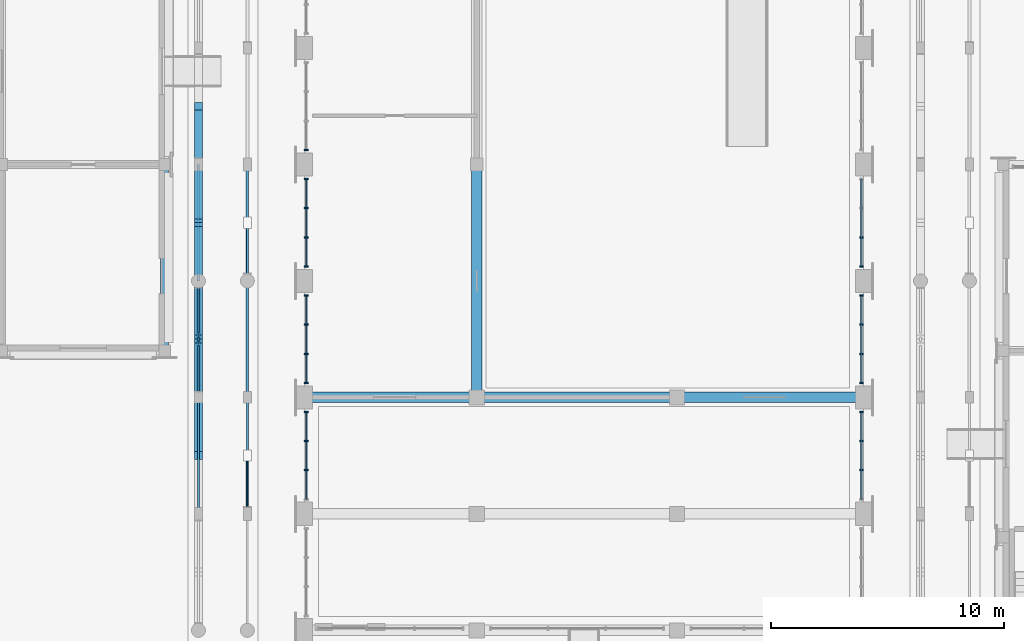
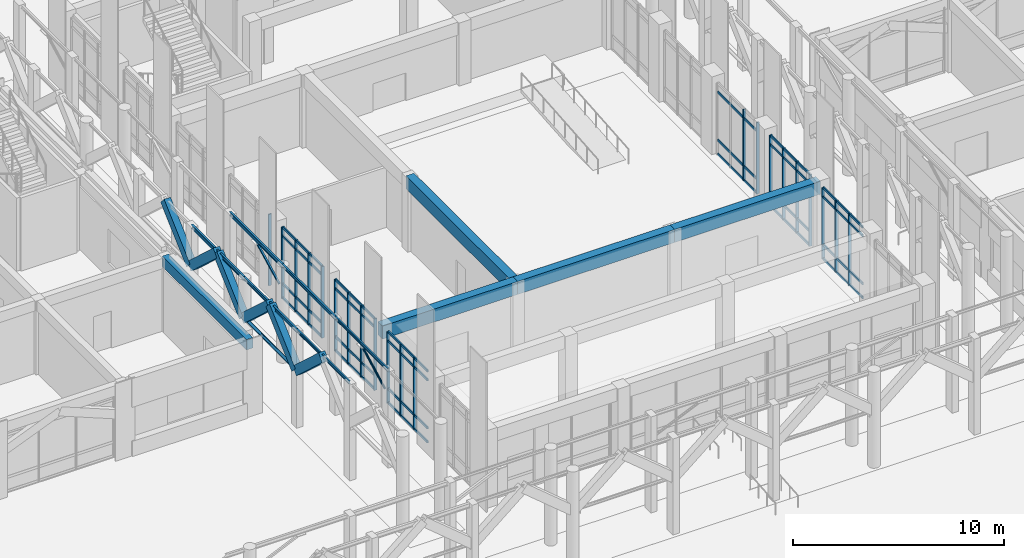
# One storey, part 28 of 135: 47 members, 17 beams, 7 elements without a shape of their own.
"""IFC4 building model written with IfcOpenShell, lengths in metres."""

from ifc_helpers import new_model, si_unit, direction, frame, origin, origin_2d, place, context, subcontext, project, spatial, rectangle, hollow_rectangle, hollow_circle, i_section, extrude, material, material_profile, profile_set, type_object, element, aggregate, save


model = new_model("IFC4")

# Units and contexts
model_context = context("Model", 3, precision=1e-05, world=origin(), true_north=direction((0.0, 1.0)))
body_context = subcontext(model_context, "Body", "Model", "MODEL_VIEW")
ifc_project = project(units=[si_unit("LENGTHUNIT", "METRE"), si_unit("AREAUNIT", "SQUARE_METRE"), si_unit("VOLUMEUNIT", "CUBIC_METRE"), si_unit("PLANEANGLEUNIT", "RADIAN"), si_unit("MASSUNIT", "GRAM", prefix="KILO")], contexts=[model_context])

# Site, building, storey
site_placement = place(None, origin())
site = spatial("IfcSite", under=ifc_project, at=site_placement, CompositionType="ELEMENT")
building_placement = place(site_placement, origin())
building = spatial("IfcBuilding", under=site, at=building_placement, Name="Kiranvali Square Residences", CompositionType="ELEMENT")
storey_placement = place(building_placement, origin())
storey = spatial("IfcBuildingStorey", under=building, at=storey_placement, Name="L00", CompositionType="ELEMENT", Elevation=0.0)

# Beams
ifc_material_1 = material(Name="Concrete M40 (40 MPa)", Category="concrete")
ifc_material_profile_1 = material_profile(ifc_material_1, rectangle(XDim=0.35009765625, YDim=0.5, at=origin_2d()), Name="RC 350x500")
ifc_profile_set_1 = profile_set([ifc_material_profile_1], Name="Concrete M40 (40 MPa)")
beam_type_1 = type_object("IfcBeamType", Name="AR-M40-350x500", PredefinedType="USERDEFINED", material=ifc_profile_set_1)
for number, where, z_axis, x_axis, name in (
    (1, (67.449951171875, 51.5, 5.4599609375), (0.0, 0.736401324674, -0.676544964521), (-1.0, 0.0, 0.0), "Classical pointed Ottoman arch rib ARCH-ARC-GDN-W-02.2"),
    (2, (67.449951171875, 54.0400390625, 3.199951171875), (0.0, 0.736401324674, 0.676544964521), (-1.0, 0.0, 0.0), "Classical pointed Ottoman arch rib ARCH-ARC-GDN-W-03.1"),
    (3, (67.449951171875, 56.5, 5.4599609375), (0.0, 0.736401324674, -0.676544964521), (-1.0, 0.0, 0.0), "Classical pointed Ottoman arch rib ARCH-ARC-GDN-W-03.2"),
    (4, (67.449951171875, 59.0400390625, 3.199951171875), (0.0, 0.736401324674, 0.676544964521), (-1.0, 0.0, 0.0), "Classical pointed Ottoman arch rib ARCH-ARC-GDN-W-04.1"),
    (5, (67.449951171875, 61.5, 5.4599609375), (0.0, 0.736401324674, -0.676544964521), (-1.0, 0.0, 0.0), "Classical pointed Ottoman arch rib ARCH-ARC-GDN-W-04.2"),
    (6, (67.449951171875, 64.0400390625, 3.199951171875), (0.0, 0.736401324674, 0.676544964521), (-1.0, 0.0, 0.0), "Classical pointed Ottoman arch rib ARCH-ARC-GDN-W-05.1"),
):
    element("IfcBeam", number, at=place(storey_placement, frame(where, z_axis=z_axis, x_axis=x_axis)), inside=storey, type_object=beam_type_1, Name=name, ObjectType="ARCH RIB", PredefinedType="USERDEFINED", context=body_context, shape_type="SweptSolid", body=[
        extrude(rectangle(XDim=0.35009765625, YDim=0.5, at=origin_2d()), origin(), (0.0, 0.0, 1.0), 3.340576171875),
    ])
ifc_material_profile_2 = material_profile(ifc_material_1, rectangle(XDim=0.35009765625, YDim=0.60009765625, at=origin_2d()), Name="RC 350x600")
ifc_profile_set_2 = profile_set([ifc_material_profile_2], Name="Concrete M40 (40 MPa)")
beam_type_2 = type_object("IfcBeamType", Name="BM-M40-350x600", PredefinedType="BEAM", material=ifc_profile_set_2)
beam_1_placement = place(storey_placement, frame((66.0, 56.0, 3.97998046875), z_axis=(0.0, 1.0, 0.0), x_axis=(-1.0, 0.0, 0.0)))
element("IfcBeam", 7, at=beam_1_placement, inside=storey, type_object=beam_type_2, Name="L00 beam BM-NR-L00-Y4-0", PredefinedType="BEAM", context=body_context, shape_type="SweptSolid", body=[
    extrude(rectangle(XDim=0.35009765625, YDim=0.60009765625, at=origin_2d()), origin(), (0.0, 0.0, 1.0), 8.0),
])
ifc_material_2 = material(Name="Concrete M45 (45 MPa)", Category="concrete")
ifc_material_profile_3 = material_profile(ifc_material_2, rectangle(XDim=0.449951171875, YDim=0.75, at=origin_2d()), Name="RC 450x750")
ifc_profile_set_3 = profile_set([ifc_material_profile_3], Name="Concrete M45 (45 MPa)")
beam_type_3 = type_object("IfcBeamType", Name="BM-M45-450x750", PredefinedType="BEAM", material=ifc_profile_set_3)
beam_2_placement = place(storey_placement, frame((72.0, 54.0, 3.875), z_axis=(1.0, 0.0, 0.0), x_axis=(0.0, 1.0, 0.0)))
element("IfcBeam", 8, at=beam_2_placement, inside=storey, type_object=beam_type_3, Name="L00 beam BM-CH-GAL-540-1", PredefinedType="BEAM", context=body_context, shape_type="SweptSolid", body=[
    extrude(rectangle(XDim=0.449951171875, YDim=0.75, at=origin_2d()), origin(), (0.0, 0.0, 1.0), 7.39990234375),
])
beam_3_placement = place(storey_placement, frame((79.39990234375, 54.0, 3.875), z_axis=(1.0, 0.0, 0.0), x_axis=(0.0, 1.0, 0.0)))
element("IfcBeam", 9, at=beam_3_placement, inside=storey, type_object=beam_type_3, Name="L00 beam BM-CH-GAL-540-2", PredefinedType="BEAM", context=body_context, shape_type="SweptSolid", body=[
    extrude(rectangle(XDim=0.449951171875, YDim=0.75, at=origin_2d()), origin(), (0.0, 0.0, 1.0), 8.60009765625),
])
beam_4_placement = place(storey_placement, frame((88.0, 54.0, 3.875), z_axis=(1.0, 0.0, 0.0), x_axis=(0.0, 1.0, 0.0)))
element("IfcBeam", 10, at=beam_4_placement, inside=storey, type_object=beam_type_3, Name="L00 beam BM-CH-GAL-540-3", PredefinedType="BEAM", context=body_context, shape_type="SweptSolid", body=[
    extrude(rectangle(XDim=0.449951171875, YDim=0.75, at=origin_2d()), origin(), (0.0, 0.0, 1.0), 8.0),
])
beam_5_placement = place(storey_placement, frame((79.39990234375, 54.0, 3.875), z_axis=(0.0, 1.0, 0.0), x_axis=(-1.0, 0.0, 0.0)))
element("IfcBeam", 11, at=beam_5_placement, inside=storey, type_object=beam_type_3, Name="L00 beam BM-CH-WLK-1", PredefinedType="BEAM", context=body_context, shape_type="SweptSolid", body=[
    extrude(rectangle(XDim=0.449951171875, YDim=0.75, at=origin_2d()), origin(), (0.0, 0.0, 1.0), 10.0),
])

# Curtain wall, members
ifc_material_3 = material(Name="Anodised bronze aluminium framing", Category="aluminium")
curtain_wall_type = type_object("IfcCurtainWallType", Name="CW-CH-GLZ", PredefinedType="USERDEFINED", material=ifc_material_3)
curtain_wall_1_placement = place(storey_placement, origin())
curtain_wall_1 = element("IfcCurtainWall", 12, at=curtain_wall_1_placement, inside=storey, type_object=curtain_wall_type, Name="Community Hall L00 W glazed arcade bay 2", ObjectType="CURTAIN WALL", PredefinedType="USERDEFINED")
ifc_material_profile_4 = material_profile(ifc_material_3, rectangle(XDim=0.06494140625, YDim=0.159912109375, at=origin_2d()), Name="ALU 65x160")
ifc_profile_set_4 = profile_set([ifc_material_profile_4], Name="Anodised bronze aluminium framing")
member_type_1 = type_object("IfcMemberType", Name="CW-MUL-160", PredefinedType="MULLION", material=ifc_profile_set_4)
member_1_placement = place(storey_placement, frame((72.080078125, 50.873291015625, 0.02001953125), z_axis=(0.0, 0.0, 1.0), x_axis=(0.0, 1.0, 0.0)))
member_1 = element("IfcMember", 13, at=member_1_placement, type_object=member_type_1, Name="CW-CH-L00-W2 vertical mullion 2", PredefinedType="MULLION", context=body_context, shape_type="SweptSolid", body=[
    extrude(rectangle(XDim=0.06494140625, YDim=0.159912109375, at=origin_2d()), origin(), (0.0, 0.0, 1.0), 4.139892578125),
])
member_2_placement = place(storey_placement, frame((72.080078125, 52.126708984375, 0.02001953125), z_axis=(0.0, 0.0, 1.0), x_axis=(0.0, 1.0, 0.0)))
member_2 = element("IfcMember", 14, at=member_2_placement, type_object=member_type_1, Name="CW-CH-L00-W2 vertical mullion 3", PredefinedType="MULLION", context=body_context, shape_type="SweptSolid", body=[
    extrude(rectangle(XDim=0.06494140625, YDim=0.159912109375, at=origin_2d()), origin(), (0.0, 0.0, 1.0), 4.139892578125),
])
member_3_placement = place(storey_placement, frame((72.080078125, 53.3798828125, 0.02001953125), z_axis=(0.0, 0.0, 1.0), x_axis=(0.0, 1.0, 0.0)))
member_3 = element("IfcMember", 15, at=member_3_placement, type_object=member_type_1, Name="CW-CH-L00-W2 vertical mullion 4", PredefinedType="MULLION", context=body_context, shape_type="SweptSolid", body=[
    extrude(rectangle(XDim=0.06494140625, YDim=0.159912109375, at=origin_2d()), origin(), (0.0, 0.0, 1.0), 4.139892578125),
])

curtain_wall_2_placement = place(storey_placement, origin())
curtain_wall_2 = element("IfcCurtainWall", 16, at=curtain_wall_2_placement, inside=storey, type_object=curtain_wall_type, Name="Community Hall L00 E glazed arcade bay 2", ObjectType="CURTAIN WALL", PredefinedType="USERDEFINED")
member_4_placement = place(storey_placement, frame((95.919921875, 50.873291015625, 0.02001953125), z_axis=(0.0, 0.0, 1.0), x_axis=(0.0, 1.0, 0.0)))
member_4 = element("IfcMember", 17, at=member_4_placement, type_object=member_type_1, Name="CW-CH-L00-E2 vertical mullion 2", PredefinedType="MULLION", context=body_context, shape_type="SweptSolid", body=[
    extrude(rectangle(XDim=0.06494140625, YDim=0.159912109375, at=origin_2d()), origin(), (0.0, 0.0, 1.0), 4.139892578125),
])
member_5_placement = place(storey_placement, frame((95.919921875, 52.126708984375, 0.02001953125), z_axis=(0.0, 0.0, 1.0), x_axis=(0.0, 1.0, 0.0)))
member_5 = element("IfcMember", 18, at=member_5_placement, type_object=member_type_1, Name="CW-CH-L00-E2 vertical mullion 3", PredefinedType="MULLION", context=body_context, shape_type="SweptSolid", body=[
    extrude(rectangle(XDim=0.06494140625, YDim=0.159912109375, at=origin_2d()), origin(), (0.0, 0.0, 1.0), 4.139892578125),
])
member_6_placement = place(storey_placement, frame((95.919921875, 53.3798828125, 0.02001953125), z_axis=(0.0, 0.0, 1.0), x_axis=(0.0, 1.0, 0.0)))
member_6 = element("IfcMember", 19, at=member_6_placement, type_object=member_type_1, Name="CW-CH-L00-E2 vertical mullion 4", PredefinedType="MULLION", context=body_context, shape_type="SweptSolid", body=[
    extrude(rectangle(XDim=0.06494140625, YDim=0.159912109375, at=origin_2d()), origin(), (0.0, 0.0, 1.0), 4.139892578125),
])

curtain_wall_3_placement = place(storey_placement, origin())
curtain_wall_3 = element("IfcCurtainWall", 20, at=curtain_wall_3_placement, inside=storey, type_object=curtain_wall_type, Name="Community Hall L00 W glazed arcade bay 3", ObjectType="CURTAIN WALL", PredefinedType="USERDEFINED")
member_7_placement = place(storey_placement, frame((72.080078125, 54.6201171875, 0.02001953125), z_axis=(0.0, 0.0, 1.0), x_axis=(0.0, 1.0, 0.0)))
member_7 = element("IfcMember", 21, at=member_7_placement, type_object=member_type_1, Name="CW-CH-L00-W3 vertical mullion 1", PredefinedType="MULLION", context=body_context, shape_type="SweptSolid", body=[
    extrude(rectangle(XDim=0.06494140625, YDim=0.159912109375, at=origin_2d()), origin(), (0.0, 0.0, 1.0), 4.139892578125),
])
member_8_placement = place(storey_placement, frame((72.080078125, 55.873291015625, 0.02001953125), z_axis=(0.0, 0.0, 1.0), x_axis=(0.0, 1.0, 0.0)))
member_8 = element("IfcMember", 22, at=member_8_placement, type_object=member_type_1, Name="CW-CH-L00-W3 vertical mullion 2", PredefinedType="MULLION", context=body_context, shape_type="SweptSolid", body=[
    extrude(rectangle(XDim=0.06494140625, YDim=0.159912109375, at=origin_2d()), origin(), (0.0, 0.0, 1.0), 4.139892578125),
])
member_9_placement = place(storey_placement, frame((72.080078125, 57.126708984375, 0.02001953125), z_axis=(0.0, 0.0, 1.0), x_axis=(0.0, 1.0, 0.0)))
member_9 = element("IfcMember", 23, at=member_9_placement, type_object=member_type_1, Name="CW-CH-L00-W3 vertical mullion 3", PredefinedType="MULLION", context=body_context, shape_type="SweptSolid", body=[
    extrude(rectangle(XDim=0.06494140625, YDim=0.159912109375, at=origin_2d()), origin(), (0.0, 0.0, 1.0), 4.139892578125),
])
member_10_placement = place(storey_placement, frame((72.080078125, 58.3798828125, 0.02001953125), z_axis=(0.0, 0.0, 1.0), x_axis=(0.0, 1.0, 0.0)))
member_10 = element("IfcMember", 24, at=member_10_placement, type_object=member_type_1, Name="CW-CH-L00-W3 vertical mullion 4", PredefinedType="MULLION", context=body_context, shape_type="SweptSolid", body=[
    extrude(rectangle(XDim=0.06494140625, YDim=0.159912109375, at=origin_2d()), origin(), (0.0, 0.0, 1.0), 4.139892578125),
])

curtain_wall_4_placement = place(storey_placement, origin())
curtain_wall_4 = element("IfcCurtainWall", 25, at=curtain_wall_4_placement, inside=storey, type_object=curtain_wall_type, Name="Community Hall L00 E glazed arcade bay 3", ObjectType="CURTAIN WALL", PredefinedType="USERDEFINED")
member_11_placement = place(storey_placement, frame((95.919921875, 54.6201171875, 0.02001953125), z_axis=(0.0, 0.0, 1.0), x_axis=(0.0, 1.0, 0.0)))
member_11 = element("IfcMember", 26, at=member_11_placement, type_object=member_type_1, Name="CW-CH-L00-E3 vertical mullion 1", PredefinedType="MULLION", context=body_context, shape_type="SweptSolid", body=[
    extrude(rectangle(XDim=0.06494140625, YDim=0.159912109375, at=origin_2d()), origin(), (0.0, 0.0, 1.0), 4.139892578125),
])
member_12_placement = place(storey_placement, frame((95.919921875, 55.873291015625, 0.02001953125), z_axis=(0.0, 0.0, 1.0), x_axis=(0.0, 1.0, 0.0)))
member_12 = element("IfcMember", 27, at=member_12_placement, type_object=member_type_1, Name="CW-CH-L00-E3 vertical mullion 2", PredefinedType="MULLION", context=body_context, shape_type="SweptSolid", body=[
    extrude(rectangle(XDim=0.06494140625, YDim=0.159912109375, at=origin_2d()), origin(), (0.0, 0.0, 1.0), 4.139892578125),
])
member_13_placement = place(storey_placement, frame((95.919921875, 57.126708984375, 0.02001953125), z_axis=(0.0, 0.0, 1.0), x_axis=(0.0, 1.0, 0.0)))
member_13 = element("IfcMember", 28, at=member_13_placement, type_object=member_type_1, Name="CW-CH-L00-E3 vertical mullion 3", PredefinedType="MULLION", context=body_context, shape_type="SweptSolid", body=[
    extrude(rectangle(XDim=0.06494140625, YDim=0.159912109375, at=origin_2d()), origin(), (0.0, 0.0, 1.0), 4.139892578125),
])
member_14_placement = place(storey_placement, frame((95.919921875, 58.3798828125, 0.02001953125), z_axis=(0.0, 0.0, 1.0), x_axis=(0.0, 1.0, 0.0)))
member_14 = element("IfcMember", 29, at=member_14_placement, type_object=member_type_1, Name="CW-CH-L00-E3 vertical mullion 4", PredefinedType="MULLION", context=body_context, shape_type="SweptSolid", body=[
    extrude(rectangle(XDim=0.06494140625, YDim=0.159912109375, at=origin_2d()), origin(), (0.0, 0.0, 1.0), 4.139892578125),
])

curtain_wall_5_placement = place(storey_placement, origin())
curtain_wall_5 = element("IfcCurtainWall", 30, at=curtain_wall_5_placement, inside=storey, type_object=curtain_wall_type, Name="Community Hall L00 W glazed arcade bay 4", ObjectType="CURTAIN WALL", PredefinedType="USERDEFINED")
member_15_placement = place(storey_placement, frame((72.080078125, 59.6201171875, 0.02001953125), z_axis=(0.0, 0.0, 1.0), x_axis=(0.0, 1.0, 0.0)))
member_15 = element("IfcMember", 31, at=member_15_placement, type_object=member_type_1, Name="CW-CH-L00-W4 vertical mullion 1", PredefinedType="MULLION", context=body_context, shape_type="SweptSolid", body=[
    extrude(rectangle(XDim=0.06494140625, YDim=0.159912109375, at=origin_2d()), origin(), (0.0, 0.0, 1.0), 4.139892578125),
])
member_16_placement = place(storey_placement, frame((72.080078125, 60.873291015625, 0.02001953125), z_axis=(0.0, 0.0, 1.0), x_axis=(0.0, 1.0, 0.0)))
member_16 = element("IfcMember", 32, at=member_16_placement, type_object=member_type_1, Name="CW-CH-L00-W4 vertical mullion 2", PredefinedType="MULLION", context=body_context, shape_type="SweptSolid", body=[
    extrude(rectangle(XDim=0.06494140625, YDim=0.159912109375, at=origin_2d()), origin(), (0.0, 0.0, 1.0), 4.139892578125),
])
member_17_placement = place(storey_placement, frame((72.080078125, 62.126708984375, 0.02001953125), z_axis=(0.0, 0.0, 1.0), x_axis=(0.0, 1.0, 0.0)))
member_17 = element("IfcMember", 33, at=member_17_placement, type_object=member_type_1, Name="CW-CH-L00-W4 vertical mullion 3", PredefinedType="MULLION", context=body_context, shape_type="SweptSolid", body=[
    extrude(rectangle(XDim=0.06494140625, YDim=0.159912109375, at=origin_2d()), origin(), (0.0, 0.0, 1.0), 4.139892578125),
])
member_18_placement = place(storey_placement, frame((72.080078125, 63.3798828125, 0.02001953125), z_axis=(0.0, 0.0, 1.0), x_axis=(0.0, 1.0, 0.0)))
member_18 = element("IfcMember", 34, at=member_18_placement, type_object=member_type_1, Name="CW-CH-L00-W4 vertical mullion 4", PredefinedType="MULLION", context=body_context, shape_type="SweptSolid", body=[
    extrude(rectangle(XDim=0.06494140625, YDim=0.159912109375, at=origin_2d()), origin(), (0.0, 0.0, 1.0), 4.139892578125),
])

curtain_wall_6_placement = place(storey_placement, origin())
curtain_wall_6 = element("IfcCurtainWall", 35, at=curtain_wall_6_placement, inside=storey, type_object=curtain_wall_type, Name="Community Hall L00 E glazed arcade bay 4", ObjectType="CURTAIN WALL", PredefinedType="USERDEFINED")
member_19_placement = place(storey_placement, frame((95.919921875, 59.6201171875, 0.02001953125), z_axis=(0.0, 0.0, 1.0), x_axis=(0.0, 1.0, 0.0)))
member_19 = element("IfcMember", 36, at=member_19_placement, type_object=member_type_1, Name="CW-CH-L00-E4 vertical mullion 1", PredefinedType="MULLION", context=body_context, shape_type="SweptSolid", body=[
    extrude(rectangle(XDim=0.06494140625, YDim=0.159912109375, at=origin_2d()), origin(), (0.0, 0.0, 1.0), 4.139892578125),
])
member_20_placement = place(storey_placement, frame((95.919921875, 60.873291015625, 0.02001953125), z_axis=(0.0, 0.0, 1.0), x_axis=(0.0, 1.0, 0.0)))
member_20 = element("IfcMember", 37, at=member_20_placement, type_object=member_type_1, Name="CW-CH-L00-E4 vertical mullion 2", PredefinedType="MULLION", context=body_context, shape_type="SweptSolid", body=[
    extrude(rectangle(XDim=0.06494140625, YDim=0.159912109375, at=origin_2d()), origin(), (0.0, 0.0, 1.0), 4.139892578125),
])

# Curtain wall, member
curtain_wall_7_placement = place(storey_placement, origin())
curtain_wall_7 = element("IfcCurtainWall", 38, at=curtain_wall_7_placement, inside=storey, type_object=curtain_wall_type, Name="Community Hall L00 W glazed arcade bay 5", ObjectType="CURTAIN WALL", PredefinedType="USERDEFINED")
member_21_placement = place(storey_placement, frame((72.080078125, 64.6201171875, 0.02001953125), z_axis=(0.0, 0.0, 1.0), x_axis=(0.0, 1.0, 0.0)))
member_21 = element("IfcMember", 39, at=member_21_placement, type_object=member_type_1, Name="CW-CH-L00-W5 vertical mullion 1", PredefinedType="MULLION", context=body_context, shape_type="SweptSolid", body=[
    extrude(rectangle(XDim=0.06494140625, YDim=0.159912109375, at=origin_2d()), origin(), (0.0, 0.0, 1.0), 4.139892578125),
])
aggregate(curtain_wall_7, [member_21])

# Member
ifc_material_profile_5 = material_profile(ifc_material_3, rectangle(XDim=0.06494140625, YDim=0.139892578125, at=origin_2d()), Name="ALU 65x140")
ifc_profile_set_5 = profile_set([ifc_material_profile_5], Name="Anodised bronze aluminium framing")
member_type_2 = type_object("IfcMemberType", Name="CW-TRN-140", PredefinedType="MULLION", material=ifc_profile_set_5)
member_22_placement = place(storey_placement, frame((72.080078125, 49.6298828125, 0.0400390625), z_axis=(0.0, 1.0, 0.0), x_axis=(-1.0, 0.0, 0.0)))
member_22 = element("IfcMember", 40, at=member_22_placement, type_object=member_type_2, Name="CW-CH-L00-W2 horizontal transom 1", PredefinedType="MULLION", context=body_context, shape_type="SweptSolid", body=[
    extrude(rectangle(XDim=0.06494140625, YDim=0.139892578125, at=origin_2d()), origin(), (0.0, 0.0, 1.0), 3.740234375),
])

member_23_placement = place(storey_placement, frame((72.080078125, 49.6298828125, 0.85009765625), z_axis=(0.0, 1.0, 0.0), x_axis=(-1.0, 0.0, 0.0)))
member_23 = element("IfcMember", 41, at=member_23_placement, type_object=member_type_2, Name="CW-CH-L00-W2 horizontal transom 2", PredefinedType="MULLION", context=body_context, shape_type="SweptSolid", body=[
    extrude(rectangle(XDim=0.06494140625, YDim=0.139892578125, at=origin_2d()), origin(), (0.0, 0.0, 1.0), 3.740234375),
])

member_24_placement = place(storey_placement, frame((72.080078125, 49.6298828125, 3.6298828125), z_axis=(0.0, 1.0, 0.0), x_axis=(-1.0, 0.0, 0.0)))
member_24 = element("IfcMember", 42, at=member_24_placement, type_object=member_type_2, Name="CW-CH-L00-W2 horizontal transom 3", PredefinedType="MULLION", context=body_context, shape_type="SweptSolid", body=[
    extrude(rectangle(XDim=0.06494140625, YDim=0.139892578125, at=origin_2d()), origin(), (0.0, 0.0, 1.0), 3.740234375),
])

member_25_placement = place(storey_placement, frame((72.080078125, 49.6298828125, 4.139892578125), z_axis=(0.0, 1.0, 0.0), x_axis=(-1.0, 0.0, 0.0)))
member_25 = element("IfcMember", 43, at=member_25_placement, type_object=member_type_2, Name="CW-CH-L00-W2 horizontal transom 4", PredefinedType="MULLION", context=body_context, shape_type="SweptSolid", body=[
    extrude(rectangle(XDim=0.06494140625, YDim=0.139892578125, at=origin_2d()), origin(), (0.0, 0.0, 1.0), 3.740234375),
])

aggregate(curtain_wall_1, [member_1, member_2, member_3, member_22, member_23, member_24, member_25])

member_26_placement = place(storey_placement, frame((95.919921875, 49.6298828125, 0.0400390625), z_axis=(0.0, 1.0, 0.0), x_axis=(-1.0, 0.0, 0.0)))
member_26 = element("IfcMember", 44, at=member_26_placement, type_object=member_type_2, Name="CW-CH-L00-E2 horizontal transom 1", PredefinedType="MULLION", context=body_context, shape_type="SweptSolid", body=[
    extrude(rectangle(XDim=0.06494140625, YDim=0.139892578125, at=origin_2d()), origin(), (0.0, 0.0, 1.0), 3.740234375),
])

member_27_placement = place(storey_placement, frame((95.919921875, 49.6298828125, 0.85009765625), z_axis=(0.0, 1.0, 0.0), x_axis=(-1.0, 0.0, 0.0)))
member_27 = element("IfcMember", 45, at=member_27_placement, type_object=member_type_2, Name="CW-CH-L00-E2 horizontal transom 2", PredefinedType="MULLION", context=body_context, shape_type="SweptSolid", body=[
    extrude(rectangle(XDim=0.06494140625, YDim=0.139892578125, at=origin_2d()), origin(), (0.0, 0.0, 1.0), 3.740234375),
])

member_28_placement = place(storey_placement, frame((95.919921875, 49.6298828125, 3.6298828125), z_axis=(0.0, 1.0, 0.0), x_axis=(-1.0, 0.0, 0.0)))
member_28 = element("IfcMember", 46, at=member_28_placement, type_object=member_type_2, Name="CW-CH-L00-E2 horizontal transom 3", PredefinedType="MULLION", context=body_context, shape_type="SweptSolid", body=[
    extrude(rectangle(XDim=0.06494140625, YDim=0.139892578125, at=origin_2d()), origin(), (0.0, 0.0, 1.0), 3.740234375),
])

member_29_placement = place(storey_placement, frame((95.919921875, 49.6298828125, 4.139892578125), z_axis=(0.0, 1.0, 0.0), x_axis=(-1.0, 0.0, 0.0)))
member_29 = element("IfcMember", 47, at=member_29_placement, type_object=member_type_2, Name="CW-CH-L00-E2 horizontal transom 4", PredefinedType="MULLION", context=body_context, shape_type="SweptSolid", body=[
    extrude(rectangle(XDim=0.06494140625, YDim=0.139892578125, at=origin_2d()), origin(), (0.0, 0.0, 1.0), 3.740234375),
])

aggregate(curtain_wall_2, [member_4, member_5, member_6, member_26, member_27, member_28, member_29])

member_30_placement = place(storey_placement, frame((72.080078125, 54.6298828125, 0.0400390625), z_axis=(0.0, 1.0, 0.0), x_axis=(-1.0, 0.0, 0.0)))
member_30 = element("IfcMember", 48, at=member_30_placement, type_object=member_type_2, Name="CW-CH-L00-W3 horizontal transom 1", PredefinedType="MULLION", context=body_context, shape_type="SweptSolid", body=[
    extrude(rectangle(XDim=0.06494140625, YDim=0.139892578125, at=origin_2d()), origin(), (0.0, 0.0, 1.0), 3.740234375),
])

member_31_placement = place(storey_placement, frame((72.080078125, 54.6298828125, 0.85009765625), z_axis=(0.0, 1.0, 0.0), x_axis=(-1.0, 0.0, 0.0)))
member_31 = element("IfcMember", 49, at=member_31_placement, type_object=member_type_2, Name="CW-CH-L00-W3 horizontal transom 2", PredefinedType="MULLION", context=body_context, shape_type="SweptSolid", body=[
    extrude(rectangle(XDim=0.06494140625, YDim=0.139892578125, at=origin_2d()), origin(), (0.0, 0.0, 1.0), 3.740234375),
])

member_32_placement = place(storey_placement, frame((72.080078125, 54.6298828125, 3.6298828125), z_axis=(0.0, 1.0, 0.0), x_axis=(-1.0, 0.0, 0.0)))
member_32 = element("IfcMember", 50, at=member_32_placement, type_object=member_type_2, Name="CW-CH-L00-W3 horizontal transom 3", PredefinedType="MULLION", context=body_context, shape_type="SweptSolid", body=[
    extrude(rectangle(XDim=0.06494140625, YDim=0.139892578125, at=origin_2d()), origin(), (0.0, 0.0, 1.0), 3.740234375),
])

member_33_placement = place(storey_placement, frame((72.080078125, 54.6298828125, 4.139892578125), z_axis=(0.0, 1.0, 0.0), x_axis=(-1.0, 0.0, 0.0)))
member_33 = element("IfcMember", 51, at=member_33_placement, type_object=member_type_2, Name="CW-CH-L00-W3 horizontal transom 4", PredefinedType="MULLION", context=body_context, shape_type="SweptSolid", body=[
    extrude(rectangle(XDim=0.06494140625, YDim=0.139892578125, at=origin_2d()), origin(), (0.0, 0.0, 1.0), 3.740234375),
])

aggregate(curtain_wall_3, [member_7, member_8, member_9, member_10, member_30, member_31, member_32, member_33])

member_34_placement = place(storey_placement, frame((95.919921875, 54.6298828125, 0.0400390625), z_axis=(0.0, 1.0, 0.0), x_axis=(-1.0, 0.0, 0.0)))
member_34 = element("IfcMember", 52, at=member_34_placement, type_object=member_type_2, Name="CW-CH-L00-E3 horizontal transom 1", PredefinedType="MULLION", context=body_context, shape_type="SweptSolid", body=[
    extrude(rectangle(XDim=0.06494140625, YDim=0.139892578125, at=origin_2d()), origin(), (0.0, 0.0, 1.0), 3.740234375),
])

member_35_placement = place(storey_placement, frame((95.919921875, 54.6298828125, 0.85009765625), z_axis=(0.0, 1.0, 0.0), x_axis=(-1.0, 0.0, 0.0)))
member_35 = element("IfcMember", 53, at=member_35_placement, type_object=member_type_2, Name="CW-CH-L00-E3 horizontal transom 2", PredefinedType="MULLION", context=body_context, shape_type="SweptSolid", body=[
    extrude(rectangle(XDim=0.06494140625, YDim=0.139892578125, at=origin_2d()), origin(), (0.0, 0.0, 1.0), 3.740234375),
])

member_36_placement = place(storey_placement, frame((95.919921875, 54.6298828125, 3.6298828125), z_axis=(0.0, 1.0, 0.0), x_axis=(-1.0, 0.0, 0.0)))
member_36 = element("IfcMember", 54, at=member_36_placement, type_object=member_type_2, Name="CW-CH-L00-E3 horizontal transom 3", PredefinedType="MULLION", context=body_context, shape_type="SweptSolid", body=[
    extrude(rectangle(XDim=0.06494140625, YDim=0.139892578125, at=origin_2d()), origin(), (0.0, 0.0, 1.0), 3.740234375),
])

member_37_placement = place(storey_placement, frame((95.919921875, 54.6298828125, 4.139892578125), z_axis=(0.0, 1.0, 0.0), x_axis=(-1.0, 0.0, 0.0)))
member_37 = element("IfcMember", 55, at=member_37_placement, type_object=member_type_2, Name="CW-CH-L00-E3 horizontal transom 4", PredefinedType="MULLION", context=body_context, shape_type="SweptSolid", body=[
    extrude(rectangle(XDim=0.06494140625, YDim=0.139892578125, at=origin_2d()), origin(), (0.0, 0.0, 1.0), 3.740234375),
])

aggregate(curtain_wall_4, [member_11, member_12, member_13, member_14, member_34, member_35, member_36, member_37])

member_38_placement = place(storey_placement, frame((72.080078125, 59.6298828125, 0.0400390625), z_axis=(0.0, 1.0, 0.0), x_axis=(-1.0, 0.0, 0.0)))
member_38 = element("IfcMember", 56, at=member_38_placement, type_object=member_type_2, Name="CW-CH-L00-W4 horizontal transom 1", PredefinedType="MULLION", context=body_context, shape_type="SweptSolid", body=[
    extrude(rectangle(XDim=0.06494140625, YDim=0.139892578125, at=origin_2d()), origin(), (0.0, 0.0, 1.0), 3.740234375),
])

member_39_placement = place(storey_placement, frame((72.080078125, 59.6298828125, 0.85009765625), z_axis=(0.0, 1.0, 0.0), x_axis=(-1.0, 0.0, 0.0)))
member_39 = element("IfcMember", 57, at=member_39_placement, type_object=member_type_2, Name="CW-CH-L00-W4 horizontal transom 2", PredefinedType="MULLION", context=body_context, shape_type="SweptSolid", body=[
    extrude(rectangle(XDim=0.06494140625, YDim=0.139892578125, at=origin_2d()), origin(), (0.0, 0.0, 1.0), 3.740234375),
])

member_40_placement = place(storey_placement, frame((72.080078125, 59.6298828125, 3.6298828125), z_axis=(0.0, 1.0, 0.0), x_axis=(-1.0, 0.0, 0.0)))
member_40 = element("IfcMember", 58, at=member_40_placement, type_object=member_type_2, Name="CW-CH-L00-W4 horizontal transom 3", PredefinedType="MULLION", context=body_context, shape_type="SweptSolid", body=[
    extrude(rectangle(XDim=0.06494140625, YDim=0.139892578125, at=origin_2d()), origin(), (0.0, 0.0, 1.0), 3.740234375),
])

member_41_placement = place(storey_placement, frame((72.080078125, 59.6298828125, 4.139892578125), z_axis=(0.0, 1.0, 0.0), x_axis=(-1.0, 0.0, 0.0)))
member_41 = element("IfcMember", 59, at=member_41_placement, type_object=member_type_2, Name="CW-CH-L00-W4 horizontal transom 4", PredefinedType="MULLION", context=body_context, shape_type="SweptSolid", body=[
    extrude(rectangle(XDim=0.06494140625, YDim=0.139892578125, at=origin_2d()), origin(), (0.0, 0.0, 1.0), 3.740234375),
])

aggregate(curtain_wall_5, [member_15, member_16, member_17, member_18, member_38, member_39, member_40, member_41])

member_42_placement = place(storey_placement, frame((95.919921875, 59.6298828125, 0.0400390625), z_axis=(0.0, 1.0, 0.0), x_axis=(-1.0, 0.0, 0.0)))
member_42 = element("IfcMember", 60, at=member_42_placement, type_object=member_type_2, Name="CW-CH-L00-E4 horizontal transom 1", PredefinedType="MULLION", context=body_context, shape_type="SweptSolid", body=[
    extrude(rectangle(XDim=0.06494140625, YDim=0.139892578125, at=origin_2d()), origin(), (0.0, 0.0, 1.0), 3.740234375),
])

member_43_placement = place(storey_placement, frame((95.919921875, 59.6298828125, 0.85009765625), z_axis=(0.0, 1.0, 0.0), x_axis=(-1.0, 0.0, 0.0)))
member_43 = element("IfcMember", 61, at=member_43_placement, type_object=member_type_2, Name="CW-CH-L00-E4 horizontal transom 2", PredefinedType="MULLION", context=body_context, shape_type="SweptSolid", body=[
    extrude(rectangle(XDim=0.06494140625, YDim=0.139892578125, at=origin_2d()), origin(), (0.0, 0.0, 1.0), 3.740234375),
])

member_44_placement = place(storey_placement, frame((95.919921875, 59.6298828125, 3.6298828125), z_axis=(0.0, 1.0, 0.0), x_axis=(-1.0, 0.0, 0.0)))
member_44 = element("IfcMember", 62, at=member_44_placement, type_object=member_type_2, Name="CW-CH-L00-E4 horizontal transom 3", PredefinedType="MULLION", context=body_context, shape_type="SweptSolid", body=[
    extrude(rectangle(XDim=0.06494140625, YDim=0.139892578125, at=origin_2d()), origin(), (0.0, 0.0, 1.0), 3.740234375),
])

aggregate(curtain_wall_6, [member_19, member_20, member_42, member_43, member_44])

# Members
ifc_material_4 = material(Name="Structural steel E350", Category="steel")
ifc_material_profile_6 = material_profile(ifc_material_4, hollow_circle(Radius=0.05712890625, WallThickness=0.00537109375, at=origin_2d()), Name="CHS 114.3x5.4")
ifc_profile_set_6 = profile_set([ifc_material_profile_6], Name="Structural steel E350")
member_type_3 = type_object("IfcMemberType", Name="MEM-CHS114", PredefinedType="BRACE", material=ifc_profile_set_6)
member_45_placement = place(storey_placement, frame((69.550048828125, 49.31103515625, 4.199951171875), z_axis=(0.0, 0.885403999117, 0.464822286844), x_axis=(-1.0, 0.0, 0.0)))
element("IfcMember", 63, at=member_45_placement, inside=storey, type_object=member_type_3, Name="Colonnade steel knee brace ARC-GDN-W-2", PredefinedType="BRACE", context=body_context, shape_type="SweptSolid", body=[
    extrude(hollow_circle(Radius=0.05712890625, WallThickness=0.00537109375, at=origin_2d()), origin(), (0.0, 0.0, 1.0), 2.47216796875),
])
ifc_material_profile_7 = material_profile(ifc_material_4, hollow_circle(Radius=0.08251953125, WallThickness=0.00537109375, at=origin_2d()), Name="CHS 165.1x5.4")
ifc_profile_set_7 = profile_set([ifc_material_profile_7], Name="Structural steel E350")
member_type_4 = type_object("IfcMemberType", Name="MEM-CHS165", PredefinedType="USERDEFINED", material=ifc_profile_set_7)
member_46_placement = place(storey_placement, frame((67.449951171875, 54.27392578125, 3.14990234375), z_axis=(0.0, 1.0, 0.0), x_axis=(-1.0, 0.0, 0.0)))
element("IfcMember", 64, at=member_46_placement, inside=storey, type_object=member_type_4, Name="Ottoman arch springing tie rod ARC-GDN-W-3", ObjectType="TIE ROD", PredefinedType="USERDEFINED", context=body_context, shape_type="SweptSolid", body=[
    extrude(hollow_circle(Radius=0.08251953125, WallThickness=0.00537109375, at=origin_2d()), origin(), (0.0, 0.0, 1.0), 4.402099609375),
])
ifc_material_profile_8 = material_profile(ifc_material_4, hollow_rectangle(XDim=0.091552734375, YDim=0.091552734375, WallThickness=0.00439453125, at=origin_2d()), Name="SHS 91.5x91.5x4.5")
ifc_profile_set_8 = profile_set([ifc_material_profile_8], Name="Structural steel E350")
member_type_5 = type_object("IfcMemberType", Name="MEM-SHS91", PredefinedType="BRACE", material=ifc_profile_set_8)
member_47_placement = place(storey_placement, frame((69.550048828125, 59.3359375, 4.199951171875), z_axis=(0.0, 0.89159305, 0.452837535097), x_axis=(-1.0, 0.0, 0.0)))
element("IfcMember", 65, at=member_47_placement, inside=storey, type_object=member_type_5, Name="Colonnade steel knee brace ARC-GDN-W-4", PredefinedType="BRACE", context=body_context, shape_type="SweptSolid", body=[
    extrude(hollow_rectangle(XDim=0.091552734375, YDim=0.091552734375, WallThickness=0.00439453125, at=origin_2d()), origin(), (0.0, 0.0, 1.0), 2.42724609375),
])

# Beams
ifc_material_profile_9 = material_profile(ifc_material_4, i_section(OverallWidth=0.0849609375, OverallDepth=0.175048828125, WebThickness=0.005859375, FlangeThickness=0.009033203125, at=origin_2d()), Name="ISMB 175")
ifc_profile_set_9 = profile_set([ifc_material_profile_9], Name="Structural steel E350")
beam_type_4 = type_object("IfcBeamType", Name="SBM-ISMB175", PredefinedType="JOIST", material=ifc_profile_set_9)
for number, where, z_axis, x_axis, name in (
    (66, (67.449951171875, 49.0, 5.472412109375), (0.0, 1.0, 0.0), (-1.0, 0.0, 0.0), "Colonnade entablature steel beam ARC-GDN-W-2"),
    (67, (69.550048828125, 49.0, 5.472412109375), (0.0, 1.0, 0.0), (-1.0, 0.0, 0.0), "Colonnade inner entablature steel beam ARC-GDN-W-2B"),
):
    element("IfcBeam", number, at=place(storey_placement, frame(where, z_axis=z_axis, x_axis=x_axis)), inside=storey, type_object=beam_type_4, Name=name, PredefinedType="JOIST", context=body_context, shape_type="SweptSolid", body=[
        extrude(i_section(OverallWidth=0.0849609375, OverallDepth=0.175048828125, WebThickness=0.005859375, FlangeThickness=0.009033203125, at=origin_2d()), origin(), (0.0, 0.0, 1.0), 5.0),
    ])
ifc_material_profile_10 = material_profile(ifc_material_4, i_section(OverallWidth=0.10009765625, OverallDepth=0.199951171875, WebThickness=0.005615234375, FlangeThickness=0.0107421875, at=origin_2d()), Name="ISMB 200")
ifc_profile_set_10 = profile_set([ifc_material_profile_10], Name="Structural steel E350")
beam_type_5 = type_object("IfcBeamType", Name="SBM-ISMB200", PredefinedType="JOIST", material=ifc_profile_set_10)
for number, where, z_axis, x_axis, name in (
    (68, (67.449951171875, 54.0, 5.4599609375), (0.0, 1.0, 0.0), (-1.0, 0.0, 0.0), "Colonnade entablature steel beam ARC-GDN-W-3"),
    (69, (69.550048828125, 54.0, 5.4599609375), (0.0, 1.0, 0.0), (-1.0, 0.0, 0.0), "Colonnade inner entablature steel beam ARC-GDN-W-3B"),
):
    element("IfcBeam", number, at=place(storey_placement, frame(where, z_axis=z_axis, x_axis=x_axis)), inside=storey, type_object=beam_type_5, Name=name, PredefinedType="JOIST", context=body_context, shape_type="SweptSolid", body=[
        extrude(i_section(OverallWidth=0.10009765625, OverallDepth=0.199951171875, WebThickness=0.005615234375, FlangeThickness=0.0107421875, at=origin_2d()), origin(), (0.0, 0.0, 1.0), 5.0),
    ])
ifc_material_profile_11 = material_profile(ifc_material_4, i_section(OverallWidth=0.110107421875, OverallDepth=0.22509765625, WebThickness=0.006591796875, FlangeThickness=0.01171875, at=origin_2d()), Name="ISMB 225")
ifc_profile_set_11 = profile_set([ifc_material_profile_11], Name="Structural steel E350")
beam_type_6 = type_object("IfcBeamType", Name="SBM-ISMB225", PredefinedType="JOIST", material=ifc_profile_set_11)
for number, where, z_axis, x_axis, name in (
    (70, (67.449951171875, 59.0, 5.447509765625), (0.0, 1.0, 0.0), (-1.0, 0.0, 0.0), "Colonnade entablature steel beam ARC-GDN-W-4"),
    (71, (69.550048828125, 59.0, 5.447509765625), (0.0, 1.0, 0.0), (-1.0, 0.0, 0.0), "Colonnade inner entablature steel beam ARC-GDN-W-4B"),
):
    element("IfcBeam", number, at=place(storey_placement, frame(where, z_axis=z_axis, x_axis=x_axis)), inside=storey, type_object=beam_type_6, Name=name, PredefinedType="JOIST", context=body_context, shape_type="SweptSolid", body=[
        extrude(i_section(OverallWidth=0.110107421875, OverallDepth=0.22509765625, WebThickness=0.006591796875, FlangeThickness=0.01171875, at=origin_2d()), origin(), (0.0, 0.0, 1.0), 5.0),
    ])

save(model, "model.ifc")
